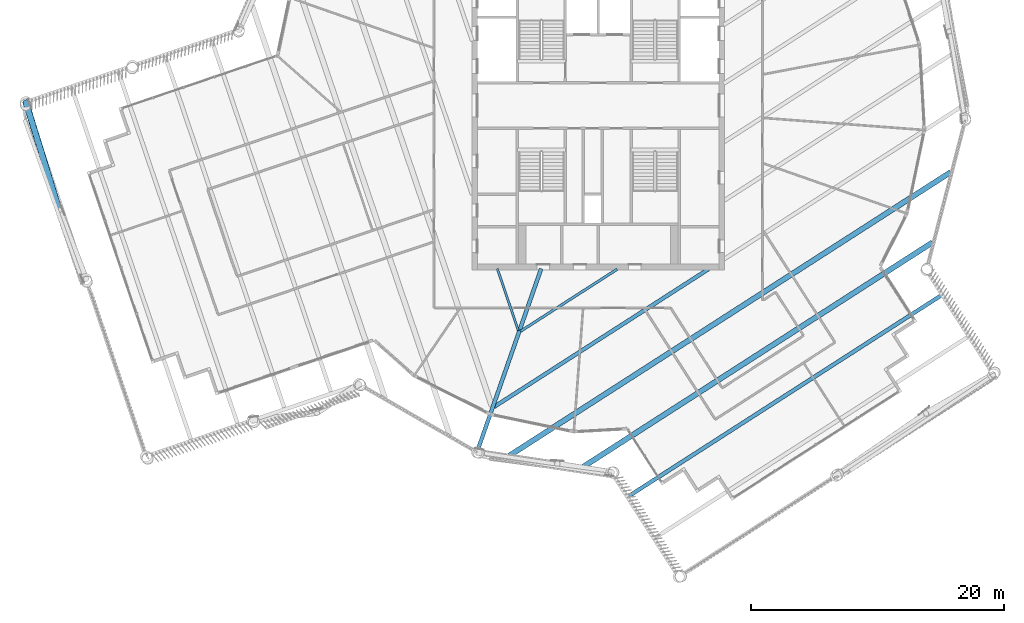
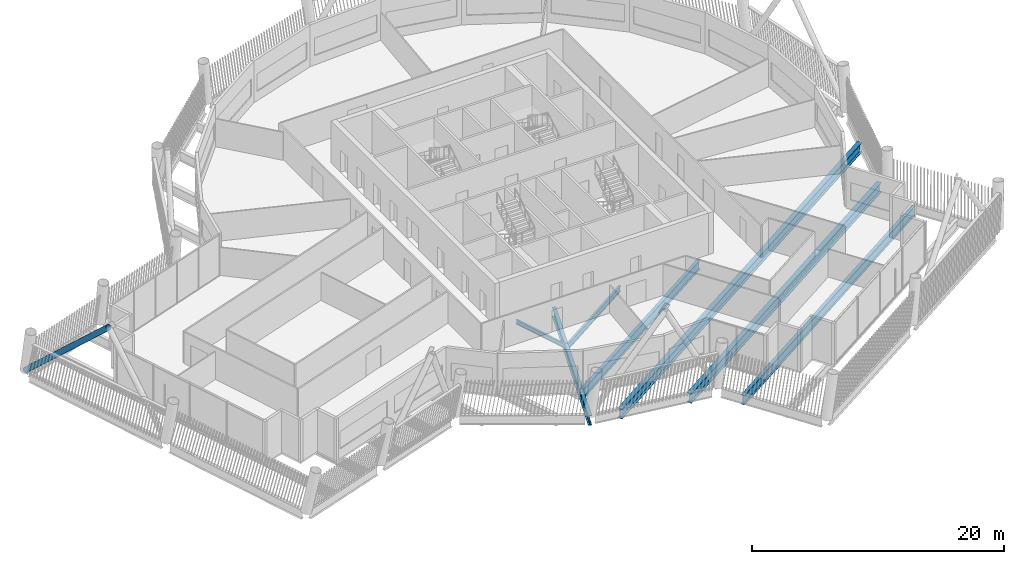
# One storey, part 10 of 35: 7 beams, 1 member.
"""IFC4 building model written with IfcOpenShell, lengths in metres."""

from ifc_helpers import new_model, si_unit, direction, frame, origin, origin_2d, place, context, subcontext, project, spatial, hollow_circle, i_section, extrude, material, material_profile, profile_set, type_object, element, save


model = new_model("IFC4")

# Units and contexts
model_context = context("Model", 3, precision=1e-05, world=origin(), true_north=direction((0.0, 1.0)))
body_context = subcontext(model_context, "Body", "Model", "MODEL_VIEW")
ifc_project = project(units=[si_unit("LENGTHUNIT", "METRE"), si_unit("AREAUNIT", "SQUARE_METRE"), si_unit("VOLUMEUNIT", "CUBIC_METRE"), si_unit("PLANEANGLEUNIT", "RADIAN"), si_unit("MASSUNIT", "GRAM", prefix="KILO")], contexts=[model_context])

# Site, building, storey
site_placement = place(None, origin())
site = spatial("IfcSite", under=ifc_project, at=site_placement, CompositionType="ELEMENT")
building_placement = place(site_placement, origin())
building = spatial("IfcBuilding", under=site, at=building_placement, Name="Tarsis Ring Headquarters", CompositionType="ELEMENT")
storey_placement = place(building_placement, frame((0.0, 0.0, 360.800048828125)))
storey = spatial("IfcBuildingStorey", under=building, at=storey_placement, Name="L85", CompositionType="ELEMENT", Elevation=360.800048828125)

# Beams
ifc_material = material(Name="Structural steel S355", Category="steel")
ifc_material_profile_1 = material_profile(ifc_material, i_section(OverallWidth=0.177734375, OverallDepth=0.406494140625, WebThickness=0.0078125, FlangeThickness=0.0126953125, at=origin_2d()), Name="W16x40")
ifc_profile_set_1 = profile_set([ifc_material_profile_1], Name="Structural steel S355")
beam_type_1 = type_object("IfcBeamType", Name="FB Floor beam W16x40", PredefinedType="JOIST", material=ifc_profile_set_1)
beam_1_placement = place(storey_placement, frame((-7.980224609375, -12.9052734375, -0.36328125), z_axis=(0.320934309592, -0.947101456512, 0.0), x_axis=(0.947101456512, 0.320934309592, 0.0)))
element("IfcBeam", 1, at=beam_1_placement, inside=storey, type_object=beam_type_1, Name="Floor beam FB1", PredefinedType="JOIST", context=body_context, shape_type="SweptSolid", body=[
    extrude(i_section(OverallWidth=0.177734375, OverallDepth=0.406494140625, WebThickness=0.0078125, FlangeThickness=0.0126953125, at=origin_2d()), origin(), (0.0, 0.0, 1.0), 5.162353515625),
])
ifc_material_profile_2 = material_profile(ifc_material, i_section(OverallWidth=0.209228515625, OverallDepth=0.533447265625, WebThickness=0.01025390625, FlangeThickness=0.015625, at=origin_2d()), Name="W21x62")
ifc_profile_set_2 = profile_set([ifc_material_profile_2], Name="Structural steel S355")
beam_type_2 = type_object("IfcBeamType", Name="FB Floor beam W21x62", PredefinedType="JOIST", material=ifc_profile_set_2)
beam_2_placement = place(storey_placement, frame((-6.147216796875, -17.856201171875, -0.4267578125), z_axis=(0.84132514643, 0.540529368291, 0.0), x_axis=(-0.540529368291, 0.84132514643, 0.0)))
element("IfcBeam", 2, at=beam_2_placement, inside=storey, type_object=beam_type_2, Name="Floor beam FB3", PredefinedType="JOIST", context=body_context, shape_type="SweptSolid", body=[
    extrude(i_section(OverallWidth=0.209228515625, OverallDepth=0.533447265625, WebThickness=0.01025390625, FlangeThickness=0.015625, at=origin_2d()), origin(), (0.0, 0.0, 1.0), 9.083984375),
])
ifc_material_profile_3 = material_profile(ifc_material, i_section(OverallWidth=0.3046875, OverallDepth=0.904296875, WebThickness=0.01513671875, FlangeThickness=0.02001953125, at=origin_2d()), Name="W36x135")
ifc_profile_set_3 = profile_set([ifc_material_profile_3], Name="Structural steel S355")
beam_type_3 = type_object("IfcBeamType", Name="FB Floor beam W36x135", PredefinedType="JOIST", material=ifc_profile_set_3)
beam_3_placement = place(storey_placement, frame((-8.23876953125, -23.83544921875, -0.612060546875), z_axis=(0.841325705566, 0.540528498003, 0.0), x_axis=(-0.540528498003, 0.841325705566, 0.0)))
element("IfcBeam", 3, at=beam_3_placement, inside=storey, type_object=beam_type_3, Name="Floor beam FB8", PredefinedType="JOIST", context=body_context, shape_type="SweptSolid", body=[
    extrude(i_section(OverallWidth=0.3046875, OverallDepth=0.904296875, WebThickness=0.01513671875, FlangeThickness=0.02001953125, at=origin_2d()), origin(), (0.0, 0.0, 1.0), 20.145751953125),
])
ifc_material_profile_4 = material_profile(ifc_material, i_section(OverallWidth=0.309814453125, OverallDepth=0.949951171875, WebThickness=0.0244140625, FlangeThickness=0.0439453125, at=origin_2d()), Name="W36x256")
ifc_profile_set_4 = profile_set([ifc_material_profile_4], Name="Structural steel S355")
beam_type_4 = type_object("IfcBeamType", Name="FB Floor beam W36x256", PredefinedType="JOIST", material=ifc_profile_set_4)
beam_4_placement = place(storey_placement, frame((2.34912109375, -30.939697265625, -0.635009765625), z_axis=(0.841322596231, 0.540533337613, 0.0), x_axis=(-0.540533337613, 0.841322596231, 0.0)))
element("IfcBeam", 4, at=beam_4_placement, inside=storey, type_object=beam_type_4, Name="Floor beam FB11", PredefinedType="JOIST", context=body_context, shape_type="SweptSolid", body=[
    extrude(i_section(OverallWidth=0.309814453125, OverallDepth=0.949951171875, WebThickness=0.0244140625, FlangeThickness=0.0439453125, at=origin_2d()), origin(), (0.0, 0.0, 1.0), 29.4951171875),
])
beam_type_5 = type_object("IfcBeamType", Name="FB Floor beam W36x256 spine", PredefinedType="BEAM", material=ifc_profile_set_4)
beam_5_placement = place(storey_placement, frame((-4.514404296875, -12.905517578125, -0.635009765625), z_axis=(-0.330185747893, -0.943915977134, 0.0), x_axis=(0.943915977134, -0.330185747893, 0.0)))
element("IfcBeam", 5, at=beam_5_placement, inside=storey, type_object=beam_type_5, Name="Floor beam SB11", PredefinedType="BEAM", context=body_context, shape_type="SweptSolid", body=[
    extrude(i_section(OverallWidth=0.309814453125, OverallDepth=0.949951171875, WebThickness=0.0244140625, FlangeThickness=0.0439453125, at=origin_2d()), origin(), (0.0, 0.0, 1.0), 15.3212890625),
])
ifc_material_profile_5 = material_profile(ifc_material, i_section(OverallWidth=0.42431640625, OverallDepth=0.947509765625, WebThickness=0.02392578125, FlangeThickness=0.042724609375, at=origin_2d()), Name="W36x302")
ifc_profile_set_5 = profile_set([ifc_material_profile_5], Name="Structural steel S355")
beam_type_6 = type_object("IfcBeamType", Name="FB Floor beam W36x302", PredefinedType="JOIST", material=ifc_profile_set_5)
beam_6_placement = place(storey_placement, frame((-7.06103515625, -27.71435546875, -0.6337890625), z_axis=(0.841323030597, 0.540532661536, 0.0), x_axis=(-0.540532661536, 0.841323030597, 0.0)))
element("IfcBeam", 6, at=beam_6_placement, inside=storey, type_object=beam_type_6, Name="Floor beam FB12", PredefinedType="JOIST", context=body_context, shape_type="SweptSolid", body=[
    extrude(i_section(OverallWidth=0.42431640625, OverallDepth=0.947509765625, WebThickness=0.02392578125, FlangeThickness=0.042724609375, at=origin_2d()), origin(), (0.0, 0.0, 1.0), 41.53125),
])
beam_7_placement = place(storey_placement, frame((-1.22021484375, -28.59716796875, -0.6337890625), z_axis=(0.841325835857, 0.540528295207, 0.0), x_axis=(-0.540528295207, 0.841325835857, 0.0)))
element("IfcBeam", 7, at=beam_7_placement, inside=storey, type_object=beam_type_6, Name="Floor beam FB12", PredefinedType="JOIST", context=body_context, shape_type="SweptSolid", body=[
    extrude(i_section(OverallWidth=0.42431640625, OverallDepth=0.947509765625, WebThickness=0.02392578125, FlangeThickness=0.042724609375, at=origin_2d()), origin(), (0.0, 0.0, 1.0), 32.883056640625),
])

# Member
ifc_material_profile_6 = material_profile(ifc_material, hollow_circle(Radius=0.25390625, WallThickness=0.02001953125, at=origin_2d()), Name="CHS 508x20")
ifc_profile_set_6 = profile_set([ifc_material_profile_6], Name="Structural steel S355")
member_type = type_object("IfcMemberType", Name="XD X brace CHS 508x20", PredefinedType="BRACE", material=ifc_profile_set_6)
member_placement = place(storey_placement, frame((-45.285888671875, 0.28076171875, 0.0), z_axis=(0.215542194766, -0.697033722432, 0.683875392209), x_axis=(0.955365739249, 0.295425632383, 0.0)))
element("IfcMember", 8, at=member_placement, inside=storey, type_object=member_type, Name="X brace XD2", PredefinedType="BRACE", context=body_context, shape_type="SweptSolid", body=[
    extrude(hollow_circle(Radius=0.25390625, WallThickness=0.02001953125, at=origin_2d()), origin(), (0.0, 0.0, 1.0), 12.28271484375),
])

save(model, "model.ifc")
